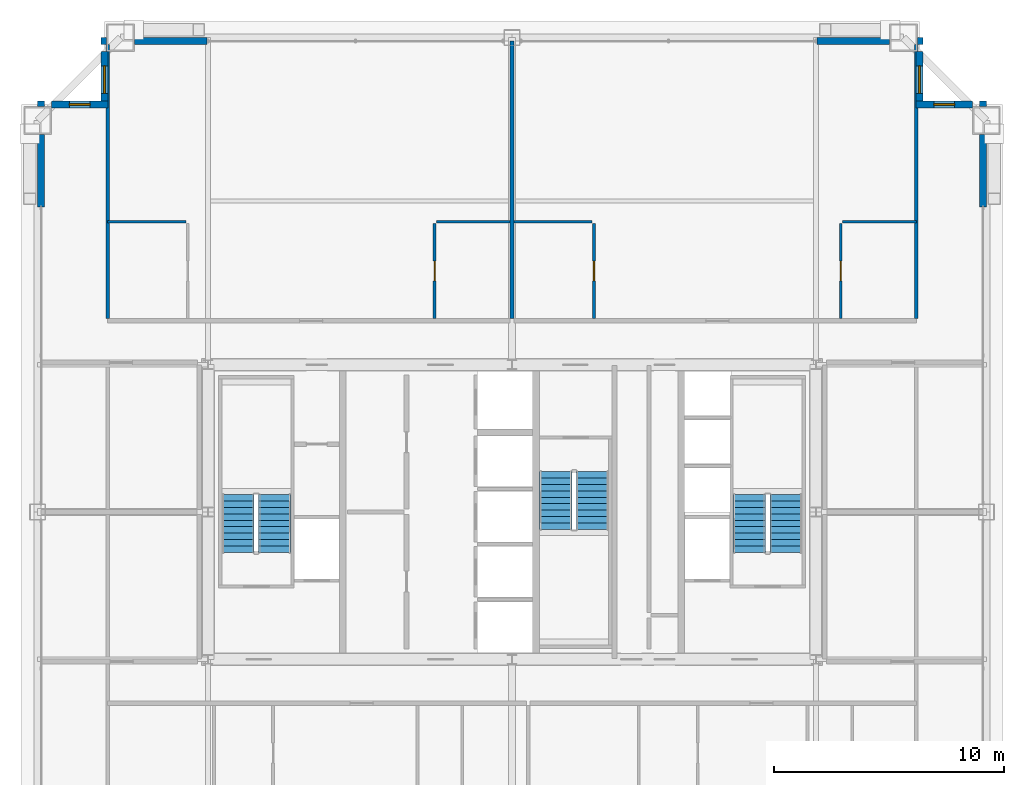
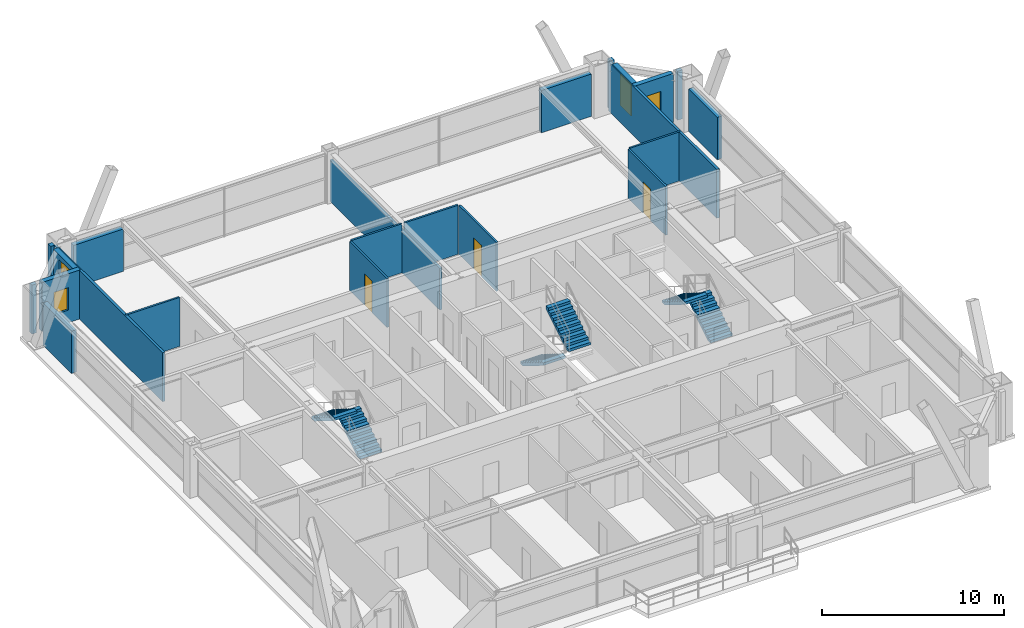
# One storey, part 34 of 35: 22 walls, 6 stair flights, 4 windows, 3 doors, 7 openings, 3 elements without a shape of their own.
"""IFC4 building model written with IfcOpenShell, lengths in metres."""

from ifc_helpers import new_model, si_unit, direction, frame, frame_2d, origin, place, context, subcontext, project, spatial, polyline, rectangle, outline, extrude, source, transform, mapped, material, layer, layer_set, type_object, element, fill, aggregate, save


model = new_model("IFC4")

# Units and contexts
model_context = context("Model", 3, precision=1e-05, world=origin(), true_north=direction((0.0, 1.0)))
body_context = subcontext(model_context, "Body", "Model", "MODEL_VIEW")
ifc_project = project(units=[si_unit("LENGTHUNIT", "METRE"), si_unit("AREAUNIT", "SQUARE_METRE"), si_unit("VOLUMEUNIT", "CUBIC_METRE"), si_unit("PLANEANGLEUNIT", "RADIAN"), si_unit("MASSUNIT", "GRAM", prefix="KILO"), si_unit("THERMODYNAMICTEMPERATUREUNIT", "KELVIN"), si_unit("POWERUNIT", "WATT")], contexts=[model_context])

# Site, building, storey
site_placement = place(None, origin())
site = spatial("IfcSite", under=ifc_project, at=site_placement, CompositionType="ELEMENT")
building_placement = place(site_placement, origin())
building = spatial("IfcBuilding", under=site, at=building_placement, Name="Yuzanri Waterfront Tower", CompositionType="ELEMENT")
storey_placement = place(building_placement, frame((0.0, 0.0, 227.60009765625)))
storey = spatial("IfcBuildingStorey", under=building, at=storey_placement, Name="L60", CompositionType="ELEMENT", Elevation=227.60009765625)

# Wall, opening, door
ifc_material_1 = material(Name="Moisture-Resistant Gypsum Stud Wall", Category="gypsum")
ifc_layer_1 = layer(ifc_material_1, 0.1201171875)
ifc_layer_set_1 = layer_set([ifc_layer_1], Name="Moisture-Resistant Gypsum Stud Wall")
wall_type_1 = type_object("IfcWallType", Name="Bathroom and Kitchen Wet Partition 120", PredefinedType="PARTITIONING", material=ifc_layer_set_1)
wall_1_placement = place(storey_placement, frame((33.639892578125, 34.2099609375, 0.0), z_axis=(0.0, 0.0, 1.0), x_axis=(0.0, 1.0, 0.0)))
wall_1 = element("IfcWall", 1, at=wall_1_placement, inside=storey, type_object=wall_type_1, Name="L60 Partition UW-L60-RN1-SUB-2-W", PredefinedType="PARTITIONING", context=body_context, shape_type="SweptSolid", body=[
    extrude(rectangle(XDim=4.110107421875, YDim=0.1201171875, at=frame_2d((2.05517578125, 0.0))), origin(), (0.0, 0.0, 1.0), 3.27978515625),
])
opening_1_placement = place(wall_1_placement, frame((1.6298828125, 0.0, 0.0)))
opening_1 = element("IfcOpeningElement", 2, at=opening_1_placement, cuts=wall_1, Name="Opening ID-0850", PredefinedType="OPENING", context=body_context, shape_type="SweptSolid", body=[
    extrude(rectangle(XDim=0.85009765625, YDim=2.10009765625, at=frame_2d((0.425048828125, 1.050048828125))), frame((0.0, 0.074951171875, 0.0), z_axis=(0.0, -1.0, 0.0), x_axis=(1.0, 0.0, 0.0)), (0.0, 0.0, 1.0), 0.14990234375),
])
ifc_material_2 = material(Name="Moisture-Resistant Lacquered Timber", Category="wood")
door_type = type_object("IfcDoorType", Name="En-Suite Bathroom and Kitchen Swing Door 850x2100", OperationType="NOTDEFINED", PredefinedType="DOOR", material=ifc_material_2)
shared_shape_1 = source(origin(), body_context, "Body", "SweptSolid", [
    extrude(rectangle(XDim=0.85009765625, YDim=2.10009765625, at=frame_2d((0.425048828125, 1.050048828125))), frame((0.0, 0.02490234375, 0.0), z_axis=(0.0, -1.0, 0.0), x_axis=(1.0, 0.0, 0.0)), (0.0, 0.0, 1.0), 0.050048828125),
])
door_1_placement = place(opening_1_placement, origin())
door_1 = element("IfcDoor", 3, at=door_1_placement, inside=storey, type_object=door_type, Name="L60 Suite Interior Room Door", OperationType="SINGLE_SWING_LEFT", OverallHeight=2.10009765625, OverallWidth=0.85009765625, PredefinedType="DOOR", context=body_context, shape_type="MappedRepresentation", body=[
    mapped(shared_shape_1, transform((0.0, 0.0, 0.0), scale=1.0)),
])
fill(opening_1, door_1)

wall_2_placement = place(storey_placement, frame((40.56005859375, 34.2099609375, 0.0), z_axis=(0.0, 0.0, 1.0), x_axis=(0.0, 1.0, 0.0)))
wall_2 = element("IfcWall", 4, at=wall_2_placement, inside=storey, type_object=wall_type_1, Name="L60 Partition UW-L60-RN2-SUB-1-E", PredefinedType="PARTITIONING", context=body_context, shape_type="SweptSolid", body=[
    extrude(rectangle(XDim=4.110107421875, YDim=0.1201171875, at=frame_2d((2.05517578125, 0.0))), origin(), (0.0, 0.0, 1.0), 3.27978515625),
])
opening_2_placement = place(wall_2_placement, frame((1.6298828125, 0.0, 0.0)))
opening_2 = element("IfcOpeningElement", 5, at=opening_2_placement, cuts=wall_2, Name="Opening ID-0850", PredefinedType="OPENING", context=body_context, shape_type="SweptSolid", body=[
    extrude(rectangle(XDim=0.85009765625, YDim=2.10009765625, at=frame_2d((0.425048828125, 1.050048828125))), frame((0.0, 0.074951171875, 0.0), z_axis=(0.0, -1.0, 0.0), x_axis=(1.0, 0.0, 0.0)), (0.0, 0.0, 1.0), 0.14990234375),
])
door_2_placement = place(opening_2_placement, origin())
door_2 = element("IfcDoor", 6, at=door_2_placement, inside=storey, type_object=door_type, Name="L60 Suite Interior Room Door", OperationType="SINGLE_SWING_LEFT", OverallHeight=2.10009765625, OverallWidth=0.85009765625, PredefinedType="DOOR", context=body_context, shape_type="MappedRepresentation", body=[
    mapped(shared_shape_1, transform((0.0, 0.0, 0.0), scale=1.0)),
])
fill(opening_2, door_2)

wall_3_placement = place(storey_placement, frame((51.280029296875, 34.2099609375, 0.0), z_axis=(0.0, 0.0, 1.0), x_axis=(0.0, 1.0, 0.0)))
wall_3 = element("IfcWall", 7, at=wall_3_placement, inside=storey, type_object=wall_type_1, Name="L60 Partition UW-L60-RN2-SUB-2-W", PredefinedType="PARTITIONING", context=body_context, shape_type="SweptSolid", body=[
    extrude(rectangle(XDim=4.110107421875, YDim=0.1201171875, at=frame_2d((2.05517578125, 0.0))), origin(), (0.0, 0.0, 1.0), 3.27978515625),
])
opening_3_placement = place(wall_3_placement, frame((1.6298828125, 0.0, 0.0)))
opening_3 = element("IfcOpeningElement", 8, at=opening_3_placement, cuts=wall_3, Name="Opening ID-0850", PredefinedType="OPENING", context=body_context, shape_type="SweptSolid", body=[
    extrude(rectangle(XDim=0.85009765625, YDim=2.10009765625, at=frame_2d((0.425048828125, 1.050048828125))), frame((0.0, 0.074951171875, 0.0), z_axis=(0.0, -1.0, 0.0), x_axis=(1.0, 0.0, 0.0)), (0.0, 0.0, 1.0), 0.14990234375),
])
door_3_placement = place(opening_3_placement, origin())
door_3 = element("IfcDoor", 9, at=door_3_placement, inside=storey, type_object=door_type, Name="L60 Suite Interior Room Door", OperationType="SINGLE_SWING_RIGHT", OverallHeight=2.10009765625, OverallWidth=0.85009765625, PredefinedType="DOOR", context=body_context, shape_type="MappedRepresentation", body=[
    mapped(shared_shape_1, transform((0.0, 0.0, 0.0), scale=1.0)),
])
fill(opening_3, door_3)

# Wall, opening, window
ifc_material_3 = material(Name="Honed Chongqing Dark Basalt Stone", Category="masonry")
ifc_layer_2 = layer(ifc_material_3, 0.300048828125)
ifc_layer_set_2 = layer_set([ifc_layer_2], Name="Honed Chongqing Dark Basalt Stone")
wall_type_2 = type_object("IfcWallType", Name="Bronze Rainscreen Insulated Spandrel Portal Wall 300", PredefinedType="SOLIDWALL", material=ifc_layer_set_2)
wall_4_placement = place(storey_placement, frame((19.449951171875, 43.5, 0.0), z_axis=(0.0, 0.0, 1.0), x_axis=(-1.0, 0.0, 0.0)))
wall_4 = element("IfcWall", 10, at=wall_4_placement, inside=storey, type_object=wall_type_2, Name="L60 Notched Corner Masonry Wall NW-X", PredefinedType="SOLIDWALL", context=body_context, shape_type="SweptSolid", body=[
    extrude(rectangle(XDim=2.449951171875, YDim=0.300048828125, at=frame_2d((1.22509765625, 0.0))), origin(), (0.0, 0.0, 1.0), 3.27978515625),
])
opening_4_placement = place(wall_4_placement, frame((0.77490234375, 0.0, 0.85009765625)))
opening_4 = element("IfcOpeningElement", 11, at=opening_4_placement, cuts=wall_4, Name="Opening WN-05", PredefinedType="OPENING", context=body_context, shape_type="SweptSolid", body=[
    extrude(rectangle(XDim=0.89990234375, YDim=1.5, at=frame_2d((0.449951171875, 0.75))), frame((0.0, 0.1650390625, 0.0), z_axis=(0.0, -1.0, 0.0), x_axis=(1.0, 0.0, 0.0)), (0.0, 0.0, 1.0), 0.329833984375),
])
ifc_material_4 = material(Name="Double-Silver Low-E Insulated Glass", Category="glass")
window_type_1 = type_object("IfcWindowType", Name="Anodized Bronze Service and Stairwell Smoke-Vent Window 900x1500", PartitioningType="SINGLE_PANEL", PredefinedType="WINDOW", material=ifc_material_4)
shared_shape_2 = source(origin(), body_context, "Body", "SweptSolid", [
    extrude(rectangle(XDim=0.89990234375, YDim=1.5, at=frame_2d((0.449951171875, 0.75))), frame((0.0, 0.030029296875, 0.0), z_axis=(0.0, -1.0, 0.0), x_axis=(1.0, 0.0, 0.0)), (0.0, 0.0, 1.0), 0.06005859375),
])
window_1_placement = place(opening_4_placement, origin())
window_1 = element("IfcWindow", 12, at=window_1_placement, inside=storey, type_object=window_type_1, Name="L60 Notched Corner Window NW-X", OverallHeight=1.5, OverallWidth=0.89990234375, PartitioningType="SINGLE_PANEL", PredefinedType="WINDOW", context=body_context, shape_type="MappedRepresentation", body=[
    mapped(shared_shape_2, transform((0.0, 0.0, 0.0), scale=1.0)),
])
fill(opening_4, window_1)

wall_5_placement = place(storey_placement, frame((19.300048828125, 45.800048828125, 0.0), z_axis=(0.0, 0.0, 1.0), x_axis=(0.0, -1.0, 0.0)))
wall_5 = element("IfcWall", 13, at=wall_5_placement, inside=storey, type_object=wall_type_2, Name="L60 Notched Corner Masonry Wall NW-Y", PredefinedType="SOLIDWALL", context=body_context, shape_type="SweptSolid", body=[
    extrude(rectangle(XDim=2.449951171875, YDim=0.300048828125, at=frame_2d((1.22509765625, 0.0))), origin(), (0.0, 0.0, 1.0), 3.27978515625),
])
opening_5_placement = place(wall_5_placement, frame((0.625, 0.0, 0.85009765625)))
opening_5 = element("IfcOpeningElement", 14, at=opening_5_placement, cuts=wall_5, Name="Opening WN-02", PredefinedType="OPENING", context=body_context, shape_type="SweptSolid", body=[
    extrude(rectangle(XDim=1.199951171875, YDim=2.10009765625, at=frame_2d((0.60009765625, 1.050048828125))), frame((0.0, 0.1650390625, 0.0), z_axis=(0.0, -1.0, 0.0), x_axis=(1.0, 0.0, 0.0)), (0.0, 0.0, 1.0), 0.329833984375),
])
ifc_material_5 = material(Name="Double-Silver Low-E Insulated Glass", Category="glass")
window_type_2 = type_object("IfcWindowType", Name="Anodized Bronze Notched Corner Deep-Set Slot Window 1200x2100", PartitioningType="SINGLE_PANEL", PredefinedType="WINDOW", material=ifc_material_5)
shared_shape_3 = source(origin(), body_context, "Body", "SweptSolid", [
    extrude(rectangle(XDim=1.199951171875, YDim=2.10009765625, at=frame_2d((0.60009765625, 1.050048828125))), frame((0.0, 0.030029296875, 0.0), z_axis=(0.0, -1.0, 0.0), x_axis=(1.0, 0.0, 0.0)), (0.0, 0.0, 1.0), 0.06005859375),
])
window_2_placement = place(opening_5_placement, origin())
window_2 = element("IfcWindow", 15, at=window_2_placement, inside=storey, type_object=window_type_2, Name="L60 Notched Corner Window NW-Y", OverallHeight=2.10009765625, OverallWidth=1.199951171875, PartitioningType="SINGLE_PANEL", PredefinedType="WINDOW", context=body_context, shape_type="MappedRepresentation", body=[
    mapped(shared_shape_3, transform((0.0, 0.0, 0.0), scale=1.0)),
])
fill(opening_5, window_2)

wall_6_placement = place(storey_placement, frame((57.0, 43.5, 0.0), z_axis=(0.0, 0.0, 1.0), x_axis=(-1.0, 0.0, 0.0)))
wall_6 = element("IfcWall", 16, at=wall_6_placement, inside=storey, type_object=wall_type_2, Name="L60 Notched Corner Masonry Wall NE-X", PredefinedType="SOLIDWALL", context=body_context, shape_type="SweptSolid", body=[
    extrude(rectangle(XDim=2.449951171875, YDim=0.300048828125, at=frame_2d((1.22509765625, 0.0))), origin(), (0.0, 0.0, 1.0), 3.27978515625),
])
opening_6_placement = place(wall_6_placement, frame((0.77490234375, 0.0, 0.85009765625)))
opening_6 = element("IfcOpeningElement", 17, at=opening_6_placement, cuts=wall_6, Name="Opening WN-05", PredefinedType="OPENING", context=body_context, shape_type="SweptSolid", body=[
    extrude(rectangle(XDim=0.89990234375, YDim=1.5, at=frame_2d((0.449951171875, 0.75))), frame((0.0, 0.1650390625, 0.0), z_axis=(0.0, -1.0, 0.0), x_axis=(1.0, 0.0, 0.0)), (0.0, 0.0, 1.0), 0.329833984375),
])
window_3_placement = place(opening_6_placement, origin())
window_3 = element("IfcWindow", 18, at=window_3_placement, inside=storey, type_object=window_type_1, Name="L60 Notched Corner Window NE-X", OverallHeight=1.5, OverallWidth=0.89990234375, PartitioningType="SINGLE_PANEL", PredefinedType="WINDOW", context=body_context, shape_type="MappedRepresentation", body=[
    mapped(shared_shape_2, transform((0.0, 0.0, 0.0), scale=1.0)),
])
fill(opening_6, window_3)

wall_7_placement = place(storey_placement, frame((54.699951171875, 43.35009765625, 0.0), z_axis=(0.0, 0.0, 1.0), x_axis=(0.0, 1.0, 0.0)))
wall_7 = element("IfcWall", 19, at=wall_7_placement, inside=storey, type_object=wall_type_2, Name="L60 Notched Corner Masonry Wall NE-Y", PredefinedType="SOLIDWALL", context=body_context, shape_type="SweptSolid", body=[
    extrude(rectangle(XDim=2.449951171875, YDim=0.300048828125, at=frame_2d((1.22509765625, 0.0))), origin(), (0.0, 0.0, 1.0), 3.27978515625),
])
opening_7_placement = place(wall_7_placement, frame((0.625, 0.0, 0.85009765625)))
opening_7 = element("IfcOpeningElement", 20, at=opening_7_placement, cuts=wall_7, Name="Opening WN-02", PredefinedType="OPENING", context=body_context, shape_type="SweptSolid", body=[
    extrude(rectangle(XDim=1.199951171875, YDim=2.10009765625, at=frame_2d((0.60009765625, 1.050048828125))), frame((0.0, 0.1650390625, 0.0), z_axis=(0.0, -1.0, 0.0), x_axis=(1.0, 0.0, 0.0)), (0.0, 0.0, 1.0), 0.329833984375),
])
window_4_placement = place(opening_7_placement, origin())
window_4 = element("IfcWindow", 21, at=window_4_placement, inside=storey, type_object=window_type_2, Name="L60 Notched Corner Window NE-Y", OverallHeight=2.10009765625, OverallWidth=1.199951171875, PartitioningType="SINGLE_PANEL", PredefinedType="WINDOW", context=body_context, shape_type="MappedRepresentation", body=[
    mapped(shared_shape_3, transform((0.0, 0.0, 0.0), scale=1.0)),
])
fill(opening_7, window_4)

# Walls
shared_shape_4 = source(origin(), body_context, "Body", "SweptSolid", [
    extrude(rectangle(XDim=0.25, YDim=0.300048828125, at=frame_2d((0.125, 0.0))), origin(), (0.0, 0.0, 1.0), 3.27978515625),
])
for number, where, z_axis, x_axis, name in (
    (22, (19.14990234375, 46.25, 0.0), (0.0, 0.0, 1.0), (1.0, 0.0, 0.0), "L60 Corner Column Shoulder Return CNW"),
    (23, (54.60009765625, 46.25, 0.0), (0.0, 0.0, 1.0), (1.0, 0.0, 0.0), "L60 Corner Column Shoulder Return CNE"),
    (24, (16.550048828125, 43.39990234375, 0.0), (0.0, 0.0, 1.0), (0.0, 1.0, 0.0), "L60 Corner Column Shoulder Return CWN"),
    (25, (57.449951171875, 43.39990234375, 0.0), (0.0, 0.0, 1.0), (0.0, 1.0, 0.0), "L60 Corner Column Shoulder Return CEN"),
):
    element("IfcWall", number, at=place(storey_placement, frame(where, z_axis=z_axis, x_axis=x_axis)), inside=storey, type_object=wall_type_2, Name=name, PredefinedType="SOLIDWALL", context=body_context, shape_type="MappedRepresentation", body=[
        mapped(shared_shape_4, transform((0.0, 0.0, 0.0), scale=1.0)),
    ])
shared_shape_5 = source(origin(), body_context, "Body", "SweptSolid", [
    extrude(rectangle(XDim=3.14990234375, YDim=0.300048828125, at=frame_2d((1.574951171875, 0.0))), origin(), (0.0, 0.0, 1.0), 2.8349609375),
])
for number, where, z_axis, x_axis, name in (
    (26, (20.60009765625, 46.25, 0.0), (0.0, 0.0, 1.0), (1.0, 0.0, 0.0), "L60 N Left Braced Masonry Shoulder"),
    (27, (50.25, 46.25, 0.0), (0.0, 0.0, 1.0), (1.0, 0.0, 0.0), "L60 N Right Braced Masonry Shoulder"),
    (28, (16.550048828125, 39.050048828125, 0.0), (0.0, 0.0, 1.0), (0.0, 1.0, 0.0), "L60 W Right Braced Masonry Shoulder"),
    (29, (57.449951171875, 39.050048828125, 0.0), (0.0, 0.0, 1.0), (0.0, 1.0, 0.0), "L60 E Right Braced Masonry Shoulder"),
):
    element("IfcWall", number, at=place(storey_placement, frame(where, z_axis=z_axis, x_axis=x_axis)), inside=storey, type_object=wall_type_2, Name=name, PredefinedType="SOLIDWALL", context=body_context, shape_type="MappedRepresentation", body=[
        mapped(shared_shape_5, transform((0.0, 0.0, 0.0), scale=1.0)),
    ])
ifc_material_6 = material(Name="Gypsum Fireboard Acoustic Stud Wall", Category="gypsum")
ifc_layer_3 = layer(ifc_material_6, 0.159912109375)
ifc_layer_set_3 = layer_set([ifc_layer_3], Name="Gypsum Fireboard Acoustic Stud Wall")
wall_type_3 = type_object("IfcWallType", Name="Acoustic Suite Demising Partition 160", PredefinedType="PARTITIONING", material=ifc_layer_set_3)
shared_shape_6 = source(origin(), body_context, "Body", "SweptSolid", [
    extrude(rectangle(XDim=12.0400390625, YDim=0.159912109375, at=frame_2d((6.02001953125, 0.0))), origin(), (0.0, 0.0, 1.0), 2.786865234375),
])
wall_8_placement = place(storey_placement, frame((37.0, 34.2099609375, 0.0), z_axis=(0.0, 0.0, 1.0), x_axis=(0.0, 1.0, 0.0)))
element("IfcWall", 30, at=wall_8_placement, inside=storey, type_object=wall_type_3, Name="L60-RN1 Party Wall", PredefinedType="PARTITIONING", context=body_context, shape_type="MappedRepresentation", body=[
    mapped(shared_shape_6, transform((0.0, 0.0, 0.0), scale=1.0)),
])
shared_shape_7 = source(origin(), body_context, "Body", "SweptSolid", [
    extrude(rectangle(XDim=3.400146484375, YDim=0.1201171875, at=frame_2d((1.7001953125, 0.0))), origin(), (0.0, 0.0, 1.0), 3.27978515625),
])
wall_9_placement = place(storey_placement, frame((19.43994140625, 38.39990234375, 0.0), z_axis=(0.0, 0.0, 1.0), x_axis=(1.0, 0.0, 0.0)))
element("IfcWall", 31, at=wall_9_placement, inside=storey, type_object=wall_type_1, Name="L60 Partition UW-L60-RN1-SUB-1-N", PredefinedType="PARTITIONING", context=body_context, shape_type="MappedRepresentation", body=[
    mapped(shared_shape_7, transform((0.0, 0.0, 0.0), scale=1.0)),
])
shared_shape_8 = source(origin(), body_context, "Body", "SweptSolid", [
    extrude(rectangle(XDim=3.199951171875, YDim=0.1201171875, at=frame_2d((1.60009765625, 0.0))), origin(), (0.0, 0.0, 1.0), 3.27978515625),
])
for number, where, z_axis, x_axis, name in (
    (32, (33.719970703125, 38.39990234375, 0.0), (0.0, 0.0, 1.0), (1.0, 0.0, 0.0), "L60 Partition UW-L60-RN1-SUB-2-N"),
    (33, (51.360107421875, 38.39990234375, 0.0), (0.0, 0.0, 1.0), (1.0, 0.0, 0.0), "L60 Partition UW-L60-RN2-SUB-2-N"),
):
    element("IfcWall", number, at=place(storey_placement, frame(where, z_axis=z_axis, x_axis=x_axis)), inside=storey, type_object=wall_type_1, Name=name, PredefinedType="PARTITIONING", context=body_context, shape_type="MappedRepresentation", body=[
        mapped(shared_shape_8, transform((0.0, 0.0, 0.0), scale=1.0)),
    ])
shared_shape_9 = source(origin(), body_context, "Body", "SweptSolid", [
    extrude(rectangle(XDim=11.89013671875, YDim=0.159912109375, at=frame_2d((5.945068359375, 0.0))), origin(), (0.0, 0.0, 1.0), 3.27978515625),
])
for number, where, z_axis, x_axis, name in (
    (34, (19.449951171875, 34.2099609375, 0.0), (0.0, 0.0, 1.0), (0.0, 1.0, 0.0), "L60 North Band West End Wall"),
    (35, (54.550048828125, 34.2099609375, 0.0), (0.0, 0.0, 1.0), (0.0, 1.0, 0.0), "L60 North Band East End Wall"),
):
    element("IfcWall", number, at=place(storey_placement, frame(where, z_axis=z_axis, x_axis=x_axis)), inside=storey, type_object=wall_type_3, Name=name, PredefinedType="PARTITIONING", context=body_context, shape_type="MappedRepresentation", body=[
        mapped(shared_shape_9, transform((0.0, 0.0, 0.0), scale=1.0)),
    ])
shared_shape_10 = source(origin(), body_context, "Body", "SweptSolid", [
    extrude(rectangle(XDim=3.39990234375, YDim=0.1201171875, at=frame_2d((1.699951171875, 0.0))), origin(), (0.0, 0.0, 1.0), 3.27978515625),
])
wall_10_placement = place(storey_placement, frame((37.080078125, 38.39990234375, 0.0), z_axis=(0.0, 0.0, 1.0), x_axis=(1.0, 0.0, 0.0)))
element("IfcWall", 36, at=wall_10_placement, inside=storey, type_object=wall_type_1, Name="L60 Partition UW-L60-RN2-SUB-1-N", PredefinedType="PARTITIONING", context=body_context, shape_type="MappedRepresentation", body=[
    mapped(shared_shape_10, transform((0.0, 0.0, 0.0), scale=1.0)),
])

# Stair, stair flights
ifc_material_7 = material(Name="Concrete C40", Category="concrete")
stair_type = type_object("IfcStairType", Name="Concrete C40 Core Dogleg Exit Stair", PredefinedType="HALF_TURN_STAIR", material=ifc_material_7)
stair_1_placement = place(storey_placement, origin())
stair_1 = element("IfcStair", 37, at=stair_1_placement, inside=storey, type_object=stair_type, Name="L60 Smoke-Proof Core Stair ST-01", PredefinedType="HALF_TURN_STAIR")
ifc_material_8 = material(Name="Concrete C40", Category="concrete")
stair_flight_type = type_object("IfcStairFlightType", Name="Concrete C40 Precast Stair Flight 1380", PredefinedType="STRAIGHT", material=ifc_material_8)
shared_shape_11 = source(origin(), body_context, "Body", "SweptSolid", [
    extrude(outline(polyline([(0.0, 0.0), (0.0, 0.175048828125), (0.280029296875, 0.175048828125), (0.280029296875, 0.35009765625), (0.56005859375, 0.35009765625), (0.56005859375, 0.52490234375), (0.840087890625, 0.52490234375), (0.840087890625, 0.699951171875), (1.1201171875, 0.699951171875), (1.1201171875, 0.875), (1.39990234375, 0.875), (1.39990234375, 1.050048828125), (1.679931640625, 1.050048828125), (1.679931640625, 1.22509765625), (1.9599609375, 1.22509765625), (1.9599609375, 1.39990234375), (2.239990234375, 1.39990234375), (2.239990234375, 1.574951171875), (2.52001953125, 1.574951171875), (2.52001953125, 1.75), (2.52001953125, 1.398193359375), (0.28271484375, 0.0), (0.0, 0.0)])), frame((0.0, 0.699951171875, 0.0), z_axis=(0.0, -1.0, 0.0), x_axis=(1.0, 0.0, 0.0)), (0.0, 0.0, 1.0), 1.39990234375),
])
stair_flight_1_placement = place(storey_placement, frame((26.699951171875, 24.0400390625, 0.0), z_axis=(0.0, 0.0, 1.0), x_axis=(0.0, 1.0, 0.0)))
stair_flight_1 = element("IfcStairFlight", 38, at=stair_flight_1_placement, type_object=stair_flight_type, Name="ST-01 flight 1", NumberOfRisers=10, NumberOfTreads=9, PredefinedType="STRAIGHT", RiserHeight=0.175, TreadLength=0.28, context=body_context, shape_type="MappedRepresentation", body=[
    mapped(shared_shape_11, transform((0.0, 0.0, 0.0), scale=1.0)),
])
stair_flight_2_placement = place(storey_placement, frame((25.10009765625, 26.56005859375, 1.75), z_axis=(0.0, 0.0, 1.0), x_axis=(0.0, -1.0, 0.0)))
stair_flight_2 = element("IfcStairFlight", 39, at=stair_flight_2_placement, type_object=stair_flight_type, Name="ST-01 flight 2", NumberOfRisers=10, NumberOfTreads=9, PredefinedType="STRAIGHT", RiserHeight=0.175, TreadLength=0.28, context=body_context, shape_type="MappedRepresentation", body=[
    mapped(shared_shape_11, transform((0.0, 0.0, 0.0), scale=1.0)),
])
aggregate(stair_1, [stair_flight_1, stair_flight_2])

stair_2_placement = place(storey_placement, origin())
stair_2 = element("IfcStair", 40, at=stair_2_placement, inside=storey, type_object=stair_type, Name="L60 Smoke-Proof Core Stair ST-02", PredefinedType="HALF_TURN_STAIR")
stair_flight_3_placement = place(storey_placement, frame((48.89990234375, 24.0400390625, 0.0), z_axis=(0.0, 0.0, 1.0), x_axis=(0.0, 1.0, 0.0)))
stair_flight_3 = element("IfcStairFlight", 41, at=stair_flight_3_placement, type_object=stair_flight_type, Name="ST-02 flight 1", NumberOfRisers=10, NumberOfTreads=9, PredefinedType="STRAIGHT", RiserHeight=0.175, TreadLength=0.28, context=body_context, shape_type="MappedRepresentation", body=[
    mapped(shared_shape_11, transform((0.0, 0.0, 0.0), scale=1.0)),
])
stair_flight_4_placement = place(storey_placement, frame((47.300048828125, 26.56005859375, 1.75), z_axis=(0.0, 0.0, 1.0), x_axis=(0.0, -1.0, 0.0)))
stair_flight_4 = element("IfcStairFlight", 42, at=stair_flight_4_placement, type_object=stair_flight_type, Name="ST-02 flight 2", NumberOfRisers=10, NumberOfTreads=9, PredefinedType="STRAIGHT", RiserHeight=0.175, TreadLength=0.28, context=body_context, shape_type="MappedRepresentation", body=[
    mapped(shared_shape_11, transform((0.0, 0.0, 0.0), scale=1.0)),
])
aggregate(stair_2, [stair_flight_3, stair_flight_4])

stair_3_placement = place(storey_placement, origin())
stair_3 = element("IfcStair", 43, at=stair_3_placement, inside=storey, type_object=stair_type, Name="L60 Smoke-Proof Core Stair ST-03", PredefinedType="HALF_TURN_STAIR")
stair_flight_5_placement = place(storey_placement, frame((38.89990234375, 27.56005859375, 0.0), z_axis=(0.0, 0.0, 1.0), x_axis=(0.0, -1.0, 0.0)))
stair_flight_5 = element("IfcStairFlight", 44, at=stair_flight_5_placement, type_object=stair_flight_type, Name="ST-03 flight 1", NumberOfRisers=10, NumberOfTreads=9, PredefinedType="STRAIGHT", RiserHeight=0.175, TreadLength=0.28, context=body_context, shape_type="MappedRepresentation", body=[
    mapped(shared_shape_11, transform((0.0, 0.0, 0.0), scale=1.0)),
])
stair_flight_6_placement = place(storey_placement, frame((40.5, 25.0400390625, 1.75), z_axis=(0.0, 0.0, 1.0), x_axis=(0.0, 1.0, 0.0)))
stair_flight_6 = element("IfcStairFlight", 45, at=stair_flight_6_placement, type_object=stair_flight_type, Name="ST-03 flight 2", NumberOfRisers=10, NumberOfTreads=9, PredefinedType="STRAIGHT", RiserHeight=0.175, TreadLength=0.28, context=body_context, shape_type="MappedRepresentation", body=[
    mapped(shared_shape_11, transform((0.0, 0.0, 0.0), scale=1.0)),
])
aggregate(stair_3, [stair_flight_5, stair_flight_6])

save(model, "model.ifc")
